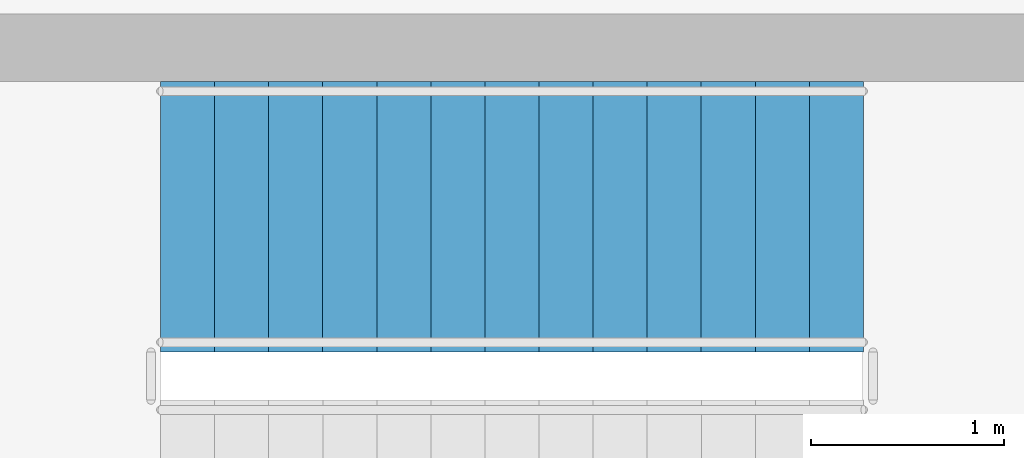
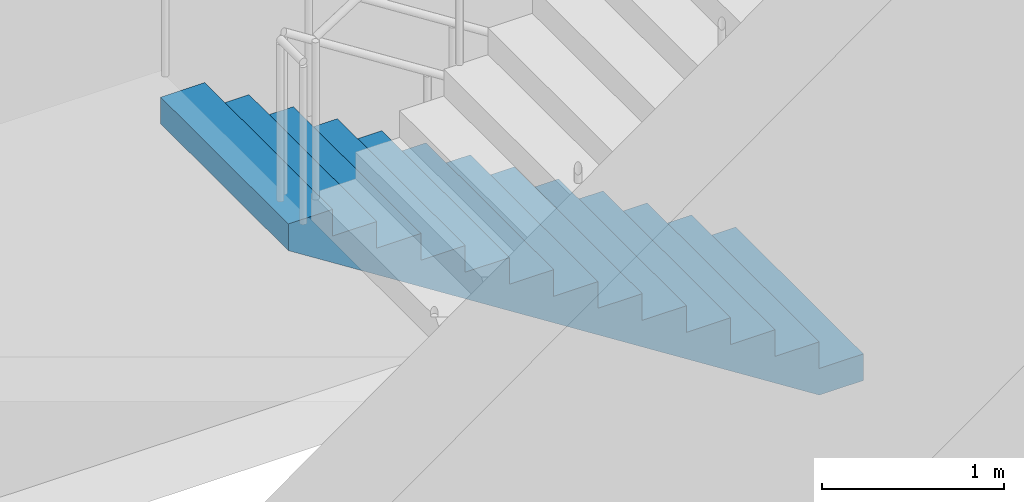
# One storey, part 28 of 31: 1 stair flight, 1 element without a shape of its own.
"""IFC4 building model written with IfcOpenShell, lengths in metres."""

from ifc_helpers import new_model, si_unit, direction, frame, origin, place, context, subcontext, project, spatial, polyline, outline, extrude, material, type_object, element, aggregate, save


model = new_model("IFC4")

# Units and contexts
model_context = context("Model", 3, precision=1e-05, world=origin(), true_north=direction((0.0, 1.0)))
body_context = subcontext(model_context, "Body", "Model", "MODEL_VIEW")
ifc_project = project(units=[si_unit("LENGTHUNIT", "METRE"), si_unit("AREAUNIT", "SQUARE_METRE"), si_unit("VOLUMEUNIT", "CUBIC_METRE"), si_unit("PLANEANGLEUNIT", "RADIAN"), si_unit("MASSUNIT", "GRAM", prefix="KILO")], contexts=[model_context])

# Site, building, storey
site_placement = place(None, origin())
site = spatial("IfcSite", under=ifc_project, at=site_placement, CompositionType="ELEMENT")
building_placement = place(site_placement, origin())
building = spatial("IfcBuilding", under=site, at=building_placement, Name="Solvirekh Grand Hotel", CompositionType="ELEMENT")
storey_placement = place(building_placement, frame((0.0, 0.0, 18.60009765625)))
storey = spatial("IfcBuildingStorey", under=building, at=storey_placement, Name="L03", CompositionType="ELEMENT", Elevation=18.60009765625)

# Stair, stair flight
ifc_material = material(Name="Steel S355", Category="steel")
stair_type = type_object("IfcStairType", Name="Stair_Grand_2000", PredefinedType="STRAIGHT_RUN_STAIR", material=ifc_material)
stair_placement = place(storey_placement, origin())
stair = element("IfcStair", 1, at=stair_placement, inside=storey, type_object=stair_type, Name="L03 Enclosed exit stair ST-4", PredefinedType="STRAIGHT_RUN_STAIR")
stair_flight_type = type_object("IfcStairFlightType", Name="Flight_Grand_2000", PredefinedType="STRAIGHT", material=ifc_material)
stair_flight_placement = place(storey_placement, frame((2.449951171875, 10.199951171875, 0.0), z_axis=(0.0, 0.0, 1.0), x_axis=(-1.0, 0.0, 0.0)))
stair_flight = element("IfcStairFlight", 2, at=stair_flight_placement, type_object=stair_flight_type, Name="ST-4 flight 1", NumberOfRisers=14, NumberOfTreads=13, PredefinedType="STRAIGHT", RiserHeight=0.178571429, TreadLength=0.28, context=body_context, shape_type="SweptSolid", body=[
    extrude(outline(polyline([(0.0, 0.0), (0.0, 0.178466796875), (0.280029296875, 0.178466796875), (0.280029296875, 0.357177734375), (0.56005859375, 0.357177734375), (0.56005859375, 0.53564453125), (0.840087890625, 0.53564453125), (0.840087890625, 0.71435546875), (1.1201171875, 0.71435546875), (1.1201171875, 0.892822265625), (1.39990234375, 0.892822265625), (1.39990234375, 1.071533203125), (1.679931640625, 1.071533203125), (1.679931640625, 1.25), (1.9599609375, 1.25), (1.9599609375, 1.428466796875), (2.239990234375, 1.428466796875), (2.239990234375, 1.607177734375), (2.52001953125, 1.607177734375), (2.52001953125, 1.78564453125), (2.800048828125, 1.78564453125), (2.800048828125, 1.96435546875), (3.080078125, 1.96435546875), (3.080078125, 2.142822265625), (3.360107421875, 2.142822265625), (3.360107421875, 2.321533203125), (3.639892578125, 2.321533203125), (3.639892578125, 2.5), (3.639892578125, 2.1435546875), (0.27880859375, 0.0), (0.0, 0.0)])), frame((0.0, 0.699951171875, 0.0), z_axis=(0.0, -1.0, 0.0), x_axis=(1.0, 0.0, 0.0)), (0.0, 0.0, 1.0), 1.39990234375),
])
aggregate(stair, [stair_flight])

save(model, "model.ifc")
